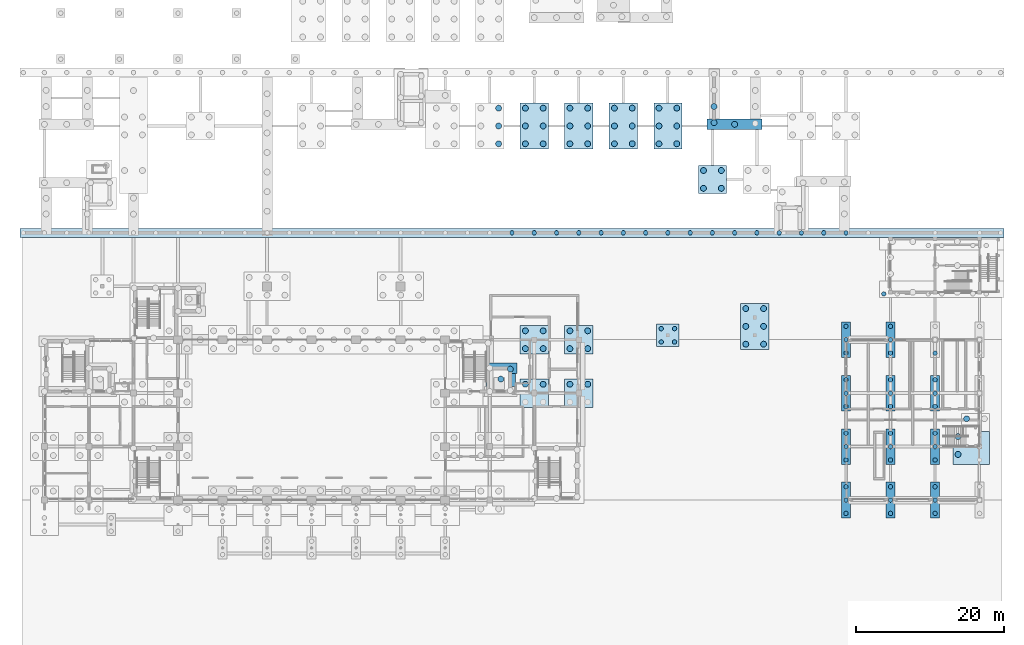
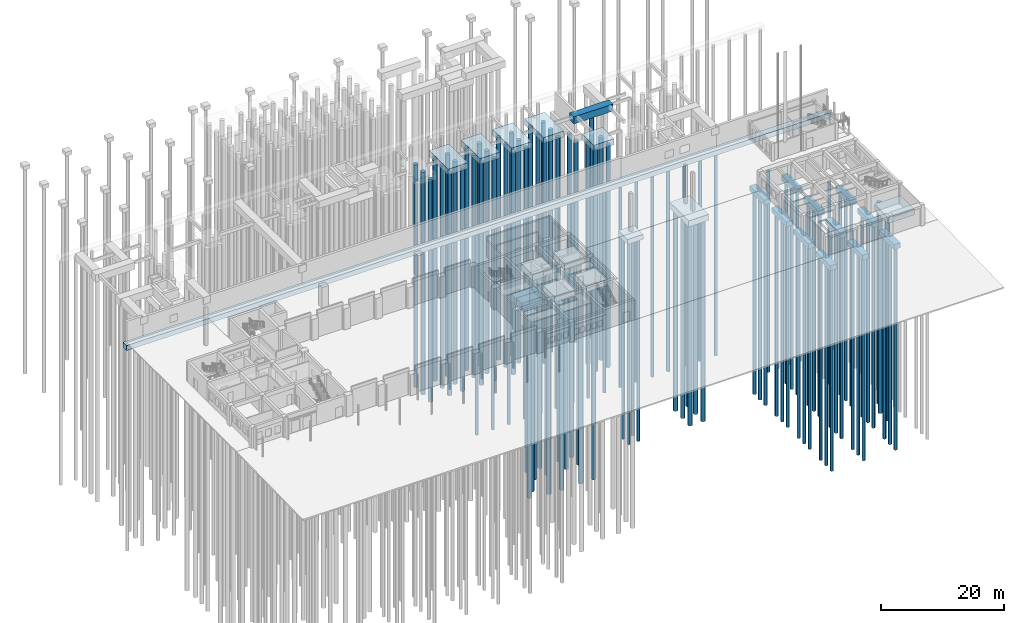
# One storey, part 4 of 37: 112 piles, 27 footings.
"""IFC4 building model written with IfcOpenShell, lengths in metres."""

from ifc_helpers import new_model, si_unit, direction, frame, origin, origin_2d, place, context, subcontext, project, spatial, polyline, circle, outline, extrude, material, layer, layer_set, material_profile, profile_set, type_object, element, save


model = new_model("IFC4")

# Units and contexts
model_context = context("Model", 3, precision=1e-05, world=origin(), true_north=direction((0.0, 1.0)))
body_context = subcontext(model_context, "Body", "Model", "MODEL_VIEW")
ifc_project = project(units=[si_unit("LENGTHUNIT", "METRE"), si_unit("AREAUNIT", "SQUARE_METRE"), si_unit("VOLUMEUNIT", "CUBIC_METRE"), si_unit("PLANEANGLEUNIT", "RADIAN"), si_unit("MASSUNIT", "GRAM", prefix="KILO")], contexts=[model_context])

# Site, building, storey
site_placement = place(None, origin())
site = spatial("IfcSite", under=ifc_project, at=site_placement, CompositionType="ELEMENT")
building_placement = place(site_placement, origin())
building = spatial("IfcBuilding", under=site, at=building_placement, Name="Laocheng Heights Fire and Rescue Headquarters", CompositionType="ELEMENT")
storey_placement = place(building_placement, origin())
storey = spatial("IfcBuildingStorey", under=building, at=storey_placement, Name="L00", CompositionType="ELEMENT", Elevation=0.0)

# Piles
ifc_material_1 = material(Name="Concrete C35", Category="concrete")
ifc_material_profile_1 = material_profile(ifc_material_1, circle(Radius=0.300048828125, at=origin_2d()), Name="BORED PILE D600")
ifc_profile_set_1 = profile_set([ifc_material_profile_1], Name="Concrete C35")
pile_type_1 = type_object("IfcPileType", Name="BORED PILE D600", PredefinedType="BORED", material=ifc_profile_set_1)
for number, where, z_axis, x_axis, name in (
    (1, (108.0, -1.800048828125, -1.25), (0.0, 0.0, -1.0), (1.0, 0.0, 0.0), "Bored pile D600"),
    (2, (108.0, 0.0, -1.25), (0.0, 0.0, -1.0), (1.0, 0.0, 0.0), "Bored pile D600"),
    (3, (108.0, 1.800048828125, -1.25), (0.0, 0.0, -1.0), (1.0, 0.0, 0.0), "Bored pile D600"),
    (4, (114.0, -1.800048828125, -1.25), (0.0, 0.0, -1.0), (1.0, 0.0, 0.0), "Bored pile D600"),
    (5, (114.0, 0.0, -1.25), (0.0, 0.0, -1.0), (1.0, 0.0, 0.0), "Bored pile D600"),
    (6, (114.0, 1.800048828125, -1.25), (0.0, 0.0, -1.0), (1.0, 0.0, 0.0), "Bored pile D600"),
    (7, (120.0, -1.800048828125, -1.25), (0.0, 0.0, -1.0), (1.0, 0.0, 0.0), "Bored pile D600"),
    (8, (120.0, 0.0, -1.25), (0.0, 0.0, -1.0), (1.0, 0.0, 0.0), "Bored pile D600"),
    (9, (120.0, 1.800048828125, -1.25), (0.0, 0.0, -1.0), (1.0, 0.0, 0.0), "Bored pile D600"),
    (10, (108.0, 5.39990234375, -1.25), (0.0, 0.0, -1.0), (1.0, 0.0, 0.0), "Bored pile D600"),
    (11, (108.0, 7.199951171875, -1.25), (0.0, 0.0, -1.0), (1.0, 0.0, 0.0), "Bored pile D600"),
    (12, (108.0, 9.0, -1.25), (0.0, 0.0, -1.0), (1.0, 0.0, 0.0), "Bored pile D600"),
    (13, (114.0, 5.39990234375, -1.25), (0.0, 0.0, -1.0), (1.0, 0.0, 0.0), "Bored pile D600"),
    (14, (114.0, 7.199951171875, -1.25), (0.0, 0.0, -1.0), (1.0, 0.0, 0.0), "Bored pile D600"),
    (15, (114.0, 9.0, -1.25), (0.0, 0.0, -1.0), (1.0, 0.0, 0.0), "Bored pile D600"),
    (16, (120.0, 5.39990234375, -1.25), (0.0, 0.0, -1.0), (1.0, 0.0, 0.0), "Bored pile D600"),
    (17, (120.0, 7.199951171875, -1.25), (0.0, 0.0, -1.0), (1.0, 0.0, 0.0), "Bored pile D600"),
    (18, (120.0, 9.0, -1.25), (0.0, 0.0, -1.0), (1.0, 0.0, 0.0), "Bored pile D600"),
    (19, (108.0, 12.60009765625, -1.25), (0.0, 0.0, -1.0), (1.0, 0.0, 0.0), "Bored pile D600"),
    (20, (108.0, 14.39990234375, -1.25), (0.0, 0.0, -1.0), (1.0, 0.0, 0.0), "Bored pile D600"),
    (21, (108.0, 16.199951171875, -1.25), (0.0, 0.0, -1.0), (1.0, 0.0, 0.0), "Bored pile D600"),
    (22, (114.0, 12.60009765625, -1.25), (0.0, 0.0, -1.0), (1.0, 0.0, 0.0), "Bored pile D600"),
    (23, (114.0, 14.39990234375, -1.25), (0.0, 0.0, -1.0), (1.0, 0.0, 0.0), "Bored pile D600"),
    (24, (114.0, 16.199951171875, -1.25), (0.0, 0.0, -1.0), (1.0, 0.0, 0.0), "Bored pile D600"),
    (25, (120.0, 12.60009765625, -1.25), (0.0, 0.0, -1.0), (1.0, 0.0, 0.0), "Bored pile D600"),
    (26, (120.0, 14.39990234375, -1.25), (0.0, 0.0, -1.0), (1.0, 0.0, 0.0), "Bored pile D600"),
    (27, (120.0, 16.199951171875, -1.25), (0.0, 0.0, -1.0), (1.0, 0.0, 0.0), "Bored pile D600"),
):
    element("IfcPile", number, at=place(storey_placement, frame(where, z_axis=z_axis, x_axis=x_axis)), inside=storey, type_object=pile_type_1, Name=name, PredefinedType="BORED", context=body_context, shape_type="SweptSolid", body=[
        extrude(circle(Radius=0.300048828125, at=origin_2d()), origin(), (0.0, 0.0, 1.0), 40.25),
    ])
for number, where, z_axis, x_axis, name in (
    (28, (108.0, 19.800048828125, -1.300048828125), (0.0, 0.0, -1.0), (1.0, 0.0, 0.0), "Bored pile D600"),
    (29, (108.0, 21.60009765625, -1.300048828125), (0.0, 0.0, -1.0), (1.0, 0.0, 0.0), "Bored pile D600"),
    (30, (108.0, 23.39990234375, -1.300048828125), (0.0, 0.0, -1.0), (1.0, 0.0, 0.0), "Bored pile D600"),
    (31, (114.0, 19.800048828125, -1.300048828125), (0.0, 0.0, -1.0), (1.0, 0.0, 0.0), "Bored pile D600"),
    (32, (114.0, 21.60009765625, -1.300048828125), (0.0, 0.0, -1.0), (1.0, 0.0, 0.0), "Bored pile D600"),
    (33, (114.0, 23.39990234375, -1.300048828125), (0.0, 0.0, -1.0), (1.0, 0.0, 0.0), "Bored pile D600"),
    (34, (120.0, 19.800048828125, -1.300048828125), (0.0, 0.0, -1.0), (1.0, 0.0, 0.0), "Bored pile D600"),
    (35, (83.10009765625, 21.300048828125, -1.300048828125), (0.0, 0.0, -1.0), (1.0, 0.0, 0.0), "Bored pile D600"),
    (36, (84.89990234375, 21.300048828125, -1.300048828125), (0.0, 0.0, -1.0), (1.0, 0.0, 0.0), "Bored pile D600"),
    (37, (83.10009765625, 23.10009765625, -1.300048828125), (0.0, 0.0, -1.0), (1.0, 0.0, 0.0), "Bored pile D600"),
    (38, (84.89990234375, 23.10009765625, -1.300048828125), (0.0, 0.0, -1.0), (1.0, 0.0, 0.0), "Bored pile D600"),
):
    element("IfcPile", number, at=place(storey_placement, frame(where, z_axis=z_axis, x_axis=x_axis)), inside=storey, type_object=pile_type_1, Name=name, PredefinedType="BORED", context=body_context, shape_type="SweptSolid", body=[
        extrude(circle(Radius=0.300048828125, at=origin_2d()), origin(), (0.0, 0.0, 1.0), 40.199951171875),
    ])
pile_1_placement = place(storey_placement, frame((113.10009765625, 27.77001953125, -1.5), z_axis=(0.0, 0.0, -1.0), x_axis=(1.0, 0.0, 0.0)))
element("IfcPile", 39, at=pile_1_placement, inside=storey, type_object=pile_type_1, Name="Bored pile D600", PredefinedType="BORED", context=body_context, shape_type="SweptSolid", body=[
    extrude(circle(Radius=0.300048828125, at=origin_2d()), origin(), (0.0, 0.0, 1.0), 40.0),
])
for number, where, z_axis, x_axis, name in (
    (40, (63.0, 36.0, -1.300048828125), (0.0, 0.0, -1.0), (1.0, 0.0, 0.0), "Bored pile D600"),
    (41, (66.0, 36.0, -1.300048828125), (0.0, 0.0, -1.0), (1.0, 0.0, 0.0), "Bored pile D600"),
    (42, (69.0, 36.0, -1.300048828125), (0.0, 0.0, -1.0), (1.0, 0.0, 0.0), "Bored pile D600"),
    (43, (72.0, 36.0, -1.300048828125), (0.0, 0.0, -1.0), (1.0, 0.0, 0.0), "Bored pile D600"),
    (44, (75.0, 36.0, -1.300048828125), (0.0, 0.0, -1.0), (1.0, 0.0, 0.0), "Bored pile D600"),
    (45, (78.0, 36.0, -1.300048828125), (0.0, 0.0, -1.0), (1.0, 0.0, 0.0), "Bored pile D600"),
    (46, (81.0, 36.0, -1.300048828125), (0.0, 0.0, -1.0), (1.0, 0.0, 0.0), "Bored pile D600"),
    (47, (84.0, 36.0, -1.300048828125), (0.0, 0.0, -1.0), (1.0, 0.0, 0.0), "Bored pile D600"),
    (48, (87.0, 36.0, -1.300048828125), (0.0, 0.0, -1.0), (1.0, 0.0, 0.0), "Bored pile D600"),
    (49, (90.0, 36.0, -1.300048828125), (0.0, 0.0, -1.0), (1.0, 0.0, 0.0), "Bored pile D600"),
    (50, (93.0, 36.0, -1.300048828125), (0.0, 0.0, -1.0), (1.0, 0.0, 0.0), "Bored pile D600"),
    (51, (96.0, 36.0, -1.300048828125), (0.0, 0.0, -1.0), (1.0, 0.0, 0.0), "Bored pile D600"),
    (52, (99.0, 36.0, -1.300048828125), (0.0, 0.0, -1.0), (1.0, 0.0, 0.0), "Bored pile D600"),
    (53, (102.0, 36.0, -1.300048828125), (0.0, 0.0, -1.0), (1.0, 0.0, 0.0), "Bored pile D600"),
    (54, (105.0, 36.0, -1.300048828125), (0.0, 0.0, -1.0), (1.0, 0.0, 0.0), "Bored pile D600"),
    (55, (108.0, 36.0, -1.300048828125), (0.0, 0.0, -1.0), (1.0, 0.0, 0.0), "Bored pile D600"),
):
    element("IfcPile", number, at=place(storey_placement, frame(where, z_axis=z_axis, x_axis=x_axis)), inside=storey, type_object=pile_type_1, Name=name, PredefinedType="BORED", context=body_context, shape_type="SweptSolid", body=[
        extrude(circle(Radius=0.300048828125, at=origin_2d()), origin(), (0.0, 0.0, 1.0), 40.199951171875),
    ])
ifc_material_2 = material(Name="Concrete C35", Category="concrete")
ifc_material_profile_2 = material_profile(ifc_material_2, circle(Radius=0.39990234375, at=origin_2d()), Name="BORED PILE D800")
ifc_profile_set_2 = profile_set([ifc_material_profile_2], Name="Concrete C35")
pile_type_2 = type_object("IfcPileType", Name="BORED PILE D800", PredefinedType="BORED", material=ifc_profile_set_2)
for number, where, z_axis, x_axis, name in (
    (56, (123.10009765625, 6.14990234375, -1.449951171875), (0.0, 0.0, -1.0), (1.0, 0.0, 0.0), "Bored pile D800"),
    (57, (123.10009765625, 8.550048828125, -1.449951171875), (0.0, 0.0, -1.0), (1.0, 0.0, 0.0), "Bored pile D800"),
    (58, (124.25, 10.949951171875, -1.449951171875), (0.0, 0.0, -1.0), (1.0, 0.0, 0.0), "Bored pile D800"),
    (59, (64.800048828125, 15.60009765625, -1.449951171875), (0.0, 0.0, -1.0), (1.0, 0.0, 0.0), "Bored pile D800"),
    (60, (67.199951171875, 15.60009765625, -1.449951171875), (0.0, 0.0, -1.0), (1.0, 0.0, 0.0), "Bored pile D800"),
    (61, (70.800048828125, 15.60009765625, -1.449951171875), (0.0, 0.0, -1.0), (1.0, 0.0, 0.0), "Bored pile D800"),
    (62, (73.199951171875, 15.60009765625, -1.449951171875), (0.0, 0.0, -1.0), (1.0, 0.0, 0.0), "Bored pile D800"),
):
    element("IfcPile", number, at=place(storey_placement, frame(where, z_axis=z_axis, x_axis=x_axis)), inside=storey, type_object=pile_type_2, Name=name, PredefinedType="BORED", context=body_context, shape_type="SweptSolid", body=[
        extrude(circle(Radius=0.39990234375, at=origin_2d()), origin(), (0.0, 0.0, 1.0), 40.050048828125),
    ])
for number, where, z_axis, x_axis, name in (
    (63, (61.4951171875, 16.294921875, -3.10009765625), (0.0, 0.0, -1.0), (1.0, 0.0, 0.0), "Bored pile D800"),
    (64, (62.77490234375, 17.64501953125, -3.10009765625), (0.0, 0.0, -1.0), (1.0, 0.0, 0.0), "Bored pile D800"),
):
    element("IfcPile", number, at=place(storey_placement, frame(where, z_axis=z_axis, x_axis=x_axis)), inside=storey, type_object=pile_type_2, Name=name, PredefinedType="BORED", context=body_context, shape_type="SweptSolid", body=[
        extrude(circle(Radius=0.39990234375, at=origin_2d()), origin(), (0.0, 0.0, 1.0), 38.39990234375),
    ])
for number, where, z_axis, x_axis, name in (
    (65, (64.800048828125, 20.39990234375, -1.449951171875), (0.0, 0.0, -1.0), (1.0, 0.0, 0.0), "Bored pile D800"),
    (66, (67.199951171875, 20.39990234375, -1.449951171875), (0.0, 0.0, -1.0), (1.0, 0.0, 0.0), "Bored pile D800"),
    (67, (64.800048828125, 22.800048828125, -1.449951171875), (0.0, 0.0, -1.0), (1.0, 0.0, 0.0), "Bored pile D800"),
    (68, (67.199951171875, 22.800048828125, -1.449951171875), (0.0, 0.0, -1.0), (1.0, 0.0, 0.0), "Bored pile D800"),
    (69, (70.800048828125, 20.39990234375, -1.449951171875), (0.0, 0.0, -1.0), (1.0, 0.0, 0.0), "Bored pile D800"),
    (70, (73.199951171875, 20.39990234375, -1.449951171875), (0.0, 0.0, -1.0), (1.0, 0.0, 0.0), "Bored pile D800"),
    (71, (70.800048828125, 22.800048828125, -1.449951171875), (0.0, 0.0, -1.0), (1.0, 0.0, 0.0), "Bored pile D800"),
    (72, (73.199951171875, 22.800048828125, -1.449951171875), (0.0, 0.0, -1.0), (1.0, 0.0, 0.0), "Bored pile D800"),
):
    element("IfcPile", number, at=place(storey_placement, frame(where, z_axis=z_axis, x_axis=x_axis)), inside=storey, type_object=pile_type_2, Name=name, PredefinedType="BORED", context=body_context, shape_type="SweptSolid", body=[
        extrude(circle(Radius=0.39990234375, at=origin_2d()), origin(), (0.0, 0.0, 1.0), 40.050048828125),
    ])
for number, where, z_axis, x_axis, name in (
    (73, (94.5, 21.0, -1.5), (0.0, 0.0, -1.0), (1.0, 0.0, 0.0), "Bored pile D800"),
    (74, (96.89990234375, 21.0, -1.5), (0.0, 0.0, -1.0), (1.0, 0.0, 0.0), "Bored pile D800"),
    (75, (94.5, 23.39990234375, -1.5), (0.0, 0.0, -1.0), (1.0, 0.0, 0.0), "Bored pile D800"),
    (76, (96.89990234375, 23.39990234375, -1.5), (0.0, 0.0, -1.0), (1.0, 0.0, 0.0), "Bored pile D800"),
    (77, (94.5, 25.800048828125, -1.5), (0.0, 0.0, -1.0), (1.0, 0.0, 0.0), "Bored pile D800"),
    (78, (96.89990234375, 25.800048828125, -1.5), (0.0, 0.0, -1.0), (1.0, 0.0, 0.0), "Bored pile D800"),
):
    element("IfcPile", number, at=place(storey_placement, frame(where, z_axis=z_axis, x_axis=x_axis)), inside=storey, type_object=pile_type_2, Name=name, PredefinedType="BORED", context=body_context, shape_type="SweptSolid", body=[
        extrude(circle(Radius=0.39990234375, at=origin_2d()), origin(), (0.0, 0.0, 1.0), 40.0),
    ])
for number, where, z_axis, x_axis, name in (
    (79, (88.800048828125, 42.0, 2.800048828125), (0.0, 0.0, -1.0), (1.0, 0.0, 0.0), "Bored pile D800"),
    (80, (91.199951171875, 42.0, 2.800048828125), (0.0, 0.0, -1.0), (1.0, 0.0, 0.0), "Bored pile D800"),
    (81, (88.800048828125, 44.39990234375, 2.800048828125), (0.0, 0.0, -1.0), (1.0, 0.0, 0.0), "Bored pile D800"),
    (82, (91.199951171875, 44.39990234375, 2.800048828125), (0.0, 0.0, -1.0), (1.0, 0.0, 0.0), "Bored pile D800"),
    (83, (61.199951171875, 48.0, 2.800048828125), (0.0, 0.0, -1.0), (1.0, 0.0, 0.0), "Bored pile D800"),
    (84, (61.199951171875, 50.39990234375, 2.800048828125), (0.0, 0.0, -1.0), (1.0, 0.0, 0.0), "Bored pile D800"),
    (85, (61.199951171875, 52.800048828125, 2.800048828125), (0.0, 0.0, -1.0), (1.0, 0.0, 0.0), "Bored pile D800"),
    (86, (64.800048828125, 48.0, 2.800048828125), (0.0, 0.0, -1.0), (1.0, 0.0, 0.0), "Bored pile D800"),
    (87, (67.199951171875, 48.0, 2.800048828125), (0.0, 0.0, -1.0), (1.0, 0.0, 0.0), "Bored pile D800"),
    (88, (64.800048828125, 50.39990234375, 2.800048828125), (0.0, 0.0, -1.0), (1.0, 0.0, 0.0), "Bored pile D800"),
    (89, (67.199951171875, 50.39990234375, 2.800048828125), (0.0, 0.0, -1.0), (1.0, 0.0, 0.0), "Bored pile D800"),
    (90, (64.800048828125, 52.800048828125, 2.800048828125), (0.0, 0.0, -1.0), (1.0, 0.0, 0.0), "Bored pile D800"),
    (91, (67.199951171875, 52.800048828125, 2.800048828125), (0.0, 0.0, -1.0), (1.0, 0.0, 0.0), "Bored pile D800"),
    (92, (70.800048828125, 48.0, 2.800048828125), (0.0, 0.0, -1.0), (1.0, 0.0, 0.0), "Bored pile D800"),
    (93, (73.199951171875, 48.0, 2.800048828125), (0.0, 0.0, -1.0), (1.0, 0.0, 0.0), "Bored pile D800"),
    (94, (70.800048828125, 50.39990234375, 2.800048828125), (0.0, 0.0, -1.0), (1.0, 0.0, 0.0), "Bored pile D800"),
    (95, (73.199951171875, 50.39990234375, 2.800048828125), (0.0, 0.0, -1.0), (1.0, 0.0, 0.0), "Bored pile D800"),
    (96, (70.800048828125, 52.800048828125, 2.800048828125), (0.0, 0.0, -1.0), (1.0, 0.0, 0.0), "Bored pile D800"),
    (97, (73.199951171875, 52.800048828125, 2.800048828125), (0.0, 0.0, -1.0), (1.0, 0.0, 0.0), "Bored pile D800"),
    (98, (76.800048828125, 48.0, 2.800048828125), (0.0, 0.0, -1.0), (1.0, 0.0, 0.0), "Bored pile D800"),
    (99, (79.199951171875, 48.0, 2.800048828125), (0.0, 0.0, -1.0), (1.0, 0.0, 0.0), "Bored pile D800"),
    (100, (76.800048828125, 50.39990234375, 2.800048828125), (0.0, 0.0, -1.0), (1.0, 0.0, 0.0), "Bored pile D800"),
    (101, (79.199951171875, 50.39990234375, 2.800048828125), (0.0, 0.0, -1.0), (1.0, 0.0, 0.0), "Bored pile D800"),
    (102, (76.800048828125, 52.800048828125, 2.800048828125), (0.0, 0.0, -1.0), (1.0, 0.0, 0.0), "Bored pile D800"),
    (103, (79.199951171875, 52.800048828125, 2.800048828125), (0.0, 0.0, -1.0), (1.0, 0.0, 0.0), "Bored pile D800"),
    (104, (82.800048828125, 48.0, 2.800048828125), (0.0, 0.0, -1.0), (1.0, 0.0, 0.0), "Bored pile D800"),
    (105, (85.199951171875, 48.0, 2.800048828125), (0.0, 0.0, -1.0), (1.0, 0.0, 0.0), "Bored pile D800"),
    (106, (82.800048828125, 50.39990234375, 2.800048828125), (0.0, 0.0, -1.0), (1.0, 0.0, 0.0), "Bored pile D800"),
    (107, (85.199951171875, 50.39990234375, 2.800048828125), (0.0, 0.0, -1.0), (1.0, 0.0, 0.0), "Bored pile D800"),
    (108, (82.800048828125, 52.800048828125, 2.800048828125), (0.0, 0.0, -1.0), (1.0, 0.0, 0.0), "Bored pile D800"),
    (109, (85.199951171875, 52.800048828125, 2.800048828125), (0.0, 0.0, -1.0), (1.0, 0.0, 0.0), "Bored pile D800"),
):
    element("IfcPile", number, at=place(storey_placement, frame(where, z_axis=z_axis, x_axis=x_axis)), inside=storey, type_object=pile_type_2, Name=name, PredefinedType="BORED", context=body_context, shape_type="SweptSolid", body=[
        extrude(circle(Radius=0.39990234375, at=origin_2d()), origin(), (0.0, 0.0, 1.0), 44.300048828125),
    ])
pile_2_placement = place(storey_placement, frame((93.0, 50.625, 2.60009765625), z_axis=(0.0, 0.0, -1.0), x_axis=(1.0, 0.0, 0.0)))
element("IfcPile", 110, at=pile_2_placement, inside=storey, type_object=pile_type_2, Name="Bored pile D800", PredefinedType="BORED", context=body_context, shape_type="SweptSolid", body=[
    extrude(circle(Radius=0.39990234375, at=origin_2d()), origin(), (0.0, 0.0, 1.0), 44.10009765625),
])
for number, where, z_axis, x_axis, name in (
    (111, (90.22509765625, 50.85009765625, -1.39990234375), (0.0, 0.0, -1.0), (1.0, 0.0, 0.0), "Bored pile D800"),
    (112, (90.22509765625, 53.02490234375, -1.39990234375), (0.0, 0.0, -1.0), (1.0, 0.0, 0.0), "Bored pile D800"),
):
    element("IfcPile", number, at=place(storey_placement, frame(where, z_axis=z_axis, x_axis=x_axis)), inside=storey, type_object=pile_type_2, Name=name, PredefinedType="BORED", context=body_context, shape_type="SweptSolid", body=[
        extrude(circle(Radius=0.39990234375, at=origin_2d()), origin(), (0.0, 0.0, 1.0), 40.10009765625),
    ])

# Footings
ifc_material_3 = material(Name="Concrete C40", Category="concrete")
ifc_layer_1 = layer(ifc_material_3, 1.0)
ifc_layer_set_1 = layer_set([ifc_layer_1], Name="Concrete C40")
footing_type_1 = type_object("IfcFootingType", Name="RC PILE CAP 1200x4800x1000 ON 3 D600 PILES", PredefinedType="PILE_CAP", material=ifc_layer_set_1)
footing_1_placement = place(storey_placement, frame((0.0, 0.0, -1.25)))
element("IfcFooting", 113, at=footing_1_placement, inside=storey, type_object=footing_type_1, Name="Pile cap", PredefinedType="PILE_CAP", context=body_context, shape_type="SweptSolid", body=[
    extrude(outline(polyline([(108.60009765625, -2.39990234375), (108.60009765625, 2.39990234375), (107.39990234375, 2.39990234375), (107.39990234375, -2.39990234375), (108.60009765625, -2.39990234375)])), origin(), (0.0, 0.0, 1.0), 1.0),
])
footing_2_placement = place(storey_placement, frame((0.0, 0.0, -1.25)))
element("IfcFooting", 114, at=footing_2_placement, inside=storey, type_object=footing_type_1, Name="Pile cap", PredefinedType="PILE_CAP", context=body_context, shape_type="SweptSolid", body=[
    extrude(outline(polyline([(114.60009765625, -2.39990234375), (114.60009765625, 2.39990234375), (113.39990234375, 2.39990234375), (113.39990234375, -2.39990234375), (114.60009765625, -2.39990234375)])), origin(), (0.0, 0.0, 1.0), 1.0),
])
footing_3_placement = place(storey_placement, frame((0.0, 0.0, -1.25)))
element("IfcFooting", 115, at=footing_3_placement, inside=storey, type_object=footing_type_1, Name="Pile cap", PredefinedType="PILE_CAP", context=body_context, shape_type="SweptSolid", body=[
    extrude(outline(polyline([(120.60009765625, -2.39990234375), (120.60009765625, 2.39990234375), (119.39990234375, 2.39990234375), (119.39990234375, -2.39990234375), (120.60009765625, -2.39990234375)])), origin(), (0.0, 0.0, 1.0), 1.0),
])
footing_4_placement = place(storey_placement, frame((0.0, 0.0, -1.25)))
element("IfcFooting", 116, at=footing_4_placement, inside=storey, type_object=footing_type_1, Name="Pile cap", PredefinedType="PILE_CAP", context=body_context, shape_type="SweptSolid", body=[
    extrude(outline(polyline([(108.60009765625, 4.800048828125), (108.60009765625, 9.60009765625), (107.39990234375, 9.60009765625), (107.39990234375, 4.800048828125), (108.60009765625, 4.800048828125)])), origin(), (0.0, 0.0, 1.0), 1.0),
])
footing_5_placement = place(storey_placement, frame((0.0, 0.0, -1.25)))
element("IfcFooting", 117, at=footing_5_placement, inside=storey, type_object=footing_type_1, Name="Pile cap", PredefinedType="PILE_CAP", context=body_context, shape_type="SweptSolid", body=[
    extrude(outline(polyline([(114.60009765625, 4.800048828125), (114.60009765625, 9.60009765625), (113.39990234375, 9.60009765625), (113.39990234375, 4.800048828125), (114.60009765625, 4.800048828125)])), origin(), (0.0, 0.0, 1.0), 1.0),
])
footing_6_placement = place(storey_placement, frame((0.0, 0.0, -1.25)))
element("IfcFooting", 118, at=footing_6_placement, inside=storey, type_object=footing_type_1, Name="Pile cap", PredefinedType="PILE_CAP", context=body_context, shape_type="SweptSolid", body=[
    extrude(outline(polyline([(120.60009765625, 4.800048828125), (120.60009765625, 9.60009765625), (119.39990234375, 9.60009765625), (119.39990234375, 4.800048828125), (120.60009765625, 4.800048828125)])), origin(), (0.0, 0.0, 1.0), 1.0),
])
footing_7_placement = place(storey_placement, frame((0.0, 0.0, -1.25)))
element("IfcFooting", 119, at=footing_7_placement, inside=storey, type_object=footing_type_1, Name="Pile cap", PredefinedType="PILE_CAP", context=body_context, shape_type="SweptSolid", body=[
    extrude(outline(polyline([(108.60009765625, 12.0), (108.60009765625, 16.800048828125), (107.39990234375, 16.800048828125), (107.39990234375, 12.0), (108.60009765625, 12.0)])), origin(), (0.0, 0.0, 1.0), 1.0),
])
footing_8_placement = place(storey_placement, frame((0.0, 0.0, -1.25)))
element("IfcFooting", 120, at=footing_8_placement, inside=storey, type_object=footing_type_1, Name="Pile cap", PredefinedType="PILE_CAP", context=body_context, shape_type="SweptSolid", body=[
    extrude(outline(polyline([(114.60009765625, 12.0), (114.60009765625, 16.800048828125), (113.39990234375, 16.800048828125), (113.39990234375, 12.0), (114.60009765625, 12.0)])), origin(), (0.0, 0.0, 1.0), 1.0),
])
footing_9_placement = place(storey_placement, frame((0.0, 0.0, -1.25)))
element("IfcFooting", 121, at=footing_9_placement, inside=storey, type_object=footing_type_1, Name="Pile cap", PredefinedType="PILE_CAP", context=body_context, shape_type="SweptSolid", body=[
    extrude(outline(polyline([(120.60009765625, 12.0), (120.60009765625, 16.800048828125), (119.39990234375, 16.800048828125), (119.39990234375, 12.0), (120.60009765625, 12.0)])), origin(), (0.0, 0.0, 1.0), 1.0),
])
footing_10_placement = place(storey_placement, frame((0.0, 0.0, -1.300048828125)))
element("IfcFooting", 122, at=footing_10_placement, inside=storey, type_object=footing_type_1, Name="Pile cap", PredefinedType="PILE_CAP", context=body_context, shape_type="SweptSolid", body=[
    extrude(outline(polyline([(108.60009765625, 19.199951171875), (108.60009765625, 24.0), (107.39990234375, 24.0), (107.39990234375, 19.199951171875), (108.60009765625, 19.199951171875)])), origin(), (0.0, 0.0, 1.0), 1.0),
])
footing_11_placement = place(storey_placement, frame((0.0, 0.0, -1.300048828125)))
element("IfcFooting", 123, at=footing_11_placement, inside=storey, type_object=footing_type_1, Name="Pile cap", PredefinedType="PILE_CAP", context=body_context, shape_type="SweptSolid", body=[
    extrude(outline(polyline([(114.60009765625, 19.199951171875), (114.60009765625, 24.0), (113.39990234375, 24.0), (113.39990234375, 19.199951171875), (114.60009765625, 19.199951171875)])), origin(), (0.0, 0.0, 1.0), 1.0),
])
ifc_material_4 = material(Name="Concrete C40", Category="concrete")
ifc_layer_2 = layer(ifc_material_4, 1.0)
ifc_layer_set_2 = layer_set([ifc_layer_2], Name="Concrete C40")
footing_type_2 = type_object("IfcFootingType", Name="RC PILE CAP 3000x3000x1000 ON 4 D600 PILES", PredefinedType="PILE_CAP", material=ifc_layer_set_2)
footing_12_placement = place(storey_placement, frame((0.0, 0.0, -1.300048828125)))
element("IfcFooting", 124, at=footing_12_placement, inside=storey, type_object=footing_type_2, Name="Pile cap", PredefinedType="PILE_CAP", context=body_context, shape_type="SweptSolid", body=[
    extrude(outline(polyline([(85.5, 20.699951171875), (85.5, 23.699951171875), (82.5, 23.699951171875), (82.5, 20.699951171875), (85.5, 20.699951171875)])), origin(), (0.0, 0.0, 1.0), 1.0),
])
ifc_material_5 = material(Name="Concrete C40", Category="concrete")
ifc_layer_3 = layer(ifc_material_5, 1.199951171875)
ifc_layer_set_3 = layer_set([ifc_layer_3], Name="Concrete C40")
footing_type_3 = type_object("IfcFootingType", Name="RC PILE CAP 3800x3800x1200 ON 4 D800 PILES", PredefinedType="PILE_CAP", material=ifc_layer_set_3)
footing_13_placement = place(storey_placement, frame((0.0, 0.0, -1.449951171875)))
element("IfcFooting", 125, at=footing_13_placement, inside=storey, type_object=footing_type_3, Name="Pile cap", PredefinedType="PILE_CAP", context=body_context, shape_type="SweptSolid", body=[
    extrude(outline(polyline([(67.89990234375, 12.5), (67.89990234375, 16.300048828125), (64.10009765625, 16.300048828125), (64.10009765625, 12.5), (67.89990234375, 12.5)])), origin(), (0.0, 0.0, 1.0), 1.199951171875),
])
footing_14_placement = place(storey_placement, frame((0.0, 0.0, -1.449951171875)))
element("IfcFooting", 126, at=footing_14_placement, inside=storey, type_object=footing_type_3, Name="Pile cap", PredefinedType="PILE_CAP", context=body_context, shape_type="SweptSolid", body=[
    extrude(outline(polyline([(73.89990234375, 12.5), (73.89990234375, 16.300048828125), (70.10009765625, 16.300048828125), (70.10009765625, 12.5), (73.89990234375, 12.5)])), origin(), (0.0, 0.0, 1.0), 1.199951171875),
])
footing_15_placement = place(storey_placement, frame((0.0, 0.0, -1.449951171875)))
element("IfcFooting", 127, at=footing_15_placement, inside=storey, type_object=footing_type_3, Name="Pile cap", PredefinedType="PILE_CAP", context=body_context, shape_type="SweptSolid", body=[
    extrude(outline(polyline([(67.89990234375, 19.699951171875), (67.89990234375, 23.5), (64.10009765625, 23.5), (64.10009765625, 19.699951171875), (67.89990234375, 19.699951171875)])), origin(), (0.0, 0.0, 1.0), 1.199951171875),
])
footing_16_placement = place(storey_placement, frame((0.0, 0.0, -1.449951171875)))
element("IfcFooting", 128, at=footing_16_placement, inside=storey, type_object=footing_type_3, Name="Pile cap", PredefinedType="PILE_CAP", context=body_context, shape_type="SweptSolid", body=[
    extrude(outline(polyline([(73.89990234375, 19.699951171875), (73.89990234375, 23.5), (70.10009765625, 23.5), (70.10009765625, 19.699951171875), (73.89990234375, 19.699951171875)])), origin(), (0.0, 0.0, 1.0), 1.199951171875),
])
footing_17_placement = place(storey_placement, frame((0.0, 0.0, 2.800048828125)))
element("IfcFooting", 129, at=footing_17_placement, inside=storey, type_object=footing_type_3, Name="Pile cap", PredefinedType="PILE_CAP", context=body_context, shape_type="SweptSolid", body=[
    extrude(outline(polyline([(91.89990234375, 41.300048828125), (91.89990234375, 45.10009765625), (88.10009765625, 45.10009765625), (88.10009765625, 41.300048828125), (91.89990234375, 41.300048828125)])), origin(), (0.0, 0.0, 1.0), 1.199951171875),
])
ifc_material_6 = material(Name="Concrete C40", Category="concrete")
ifc_layer_4 = layer(ifc_material_6, 1.199951171875)
ifc_layer_set_4 = layer_set([ifc_layer_4], Name="Concrete C40")
footing_type_4 = type_object("IfcFootingType", Name="RC PILE CAP 3800x6200x1200 ON 6 D800 PILES", PredefinedType="PILE_CAP", material=ifc_layer_set_4)
footing_18_placement = place(storey_placement, frame((0.0, 0.0, -1.5)))
element("IfcFooting", 130, at=footing_18_placement, inside=storey, type_object=footing_type_4, Name="Pile cap", PredefinedType="PILE_CAP", context=body_context, shape_type="SweptSolid", body=[
    extrude(outline(polyline([(93.800048828125, 20.300048828125), (97.60009765625, 20.300048828125), (97.60009765625, 26.5), (93.800048828125, 26.5), (93.800048828125, 20.300048828125)])), origin(), (0.0, 0.0, 1.0), 1.199951171875),
])
footing_19_placement = place(storey_placement, frame((0.0, 0.0, 2.800048828125)))
element("IfcFooting", 131, at=footing_19_placement, inside=storey, type_object=footing_type_4, Name="Pile cap", PredefinedType="PILE_CAP", context=body_context, shape_type="SweptSolid", body=[
    extrude(outline(polyline([(67.89990234375, 47.300048828125), (67.89990234375, 53.5), (64.10009765625, 53.5), (64.10009765625, 47.300048828125), (67.89990234375, 47.300048828125)])), origin(), (0.0, 0.0, 1.0), 1.199951171875),
])
footing_20_placement = place(storey_placement, frame((0.0, 0.0, 2.800048828125)))
element("IfcFooting", 132, at=footing_20_placement, inside=storey, type_object=footing_type_4, Name="Pile cap", PredefinedType="PILE_CAP", context=body_context, shape_type="SweptSolid", body=[
    extrude(outline(polyline([(73.89990234375, 47.300048828125), (73.89990234375, 53.5), (70.10009765625, 53.5), (70.10009765625, 47.300048828125), (73.89990234375, 47.300048828125)])), origin(), (0.0, 0.0, 1.0), 1.199951171875),
])
footing_21_placement = place(storey_placement, frame((0.0, 0.0, 2.800048828125)))
element("IfcFooting", 133, at=footing_21_placement, inside=storey, type_object=footing_type_4, Name="Pile cap", PredefinedType="PILE_CAP", context=body_context, shape_type="SweptSolid", body=[
    extrude(outline(polyline([(79.89990234375, 47.300048828125), (79.89990234375, 53.5), (76.10009765625, 53.5), (76.10009765625, 47.300048828125), (79.89990234375, 47.300048828125)])), origin(), (0.0, 0.0, 1.0), 1.199951171875),
])
footing_22_placement = place(storey_placement, frame((0.0, 0.0, 2.800048828125)))
element("IfcFooting", 134, at=footing_22_placement, inside=storey, type_object=footing_type_4, Name="Pile cap", PredefinedType="PILE_CAP", context=body_context, shape_type="SweptSolid", body=[
    extrude(outline(polyline([(85.89990234375, 47.300048828125), (85.89990234375, 53.5), (82.10009765625, 53.5), (82.10009765625, 47.300048828125), (85.89990234375, 47.300048828125)])), origin(), (0.0, 0.0, 1.0), 1.199951171875),
])
ifc_material_7 = material(Name="Concrete C40", Category="concrete")
ifc_layer_5 = layer(ifc_material_7, 1.39990234375)
ifc_layer_set_5 = layer_set([ifc_layer_5], Name="Concrete C40")
footing_type_5 = type_object("IfcFootingType", Name="RC PILE CAP 3950x1750x1400 ON 1 D800 PILES", PredefinedType="PILE_CAP", material=ifc_layer_set_5)
footing_23_placement = place(storey_placement, frame((0.0, 0.0, -3.10009765625)))
element("IfcFooting", 135, at=footing_23_placement, inside=storey, type_object=footing_type_5, Name="Pile cap", PredefinedType="PILE_CAP", context=body_context, shape_type="SweptSolid", body=[
    extrude(outline(polyline([(63.47509765625, 15.324951171875), (63.47509765625, 17.074951171875), (59.52490234375, 17.074951171875), (59.52490234375, 15.324951171875), (63.47509765625, 15.324951171875)])), origin(), (0.0, 0.0, 1.0), 1.400146484375),
])
ifc_material_8 = material(Name="Concrete C40", Category="concrete")
ifc_layer_6 = layer(ifc_material_8, 1.39990234375)
ifc_layer_set_6 = layer_set([ifc_layer_6], Name="Concrete C40")
footing_type_6 = type_object("IfcFootingType", Name="RC PILE CAP 4400x1400x1400 ON 2 D800 PILES", PredefinedType="PILE_CAP", material=ifc_layer_set_6)
footing_24_placement = place(storey_placement, frame((0.0, 0.0, -3.10009765625)))
element("IfcFooting", 136, at=footing_24_placement, inside=storey, type_object=footing_type_6, Name="Pile cap", PredefinedType="PILE_CAP", context=body_context, shape_type="SweptSolid", body=[
    extrude(outline(polyline([(63.699951171875, 17.074951171875), (63.699951171875, 18.47509765625), (59.300048828125, 18.47509765625), (59.300048828125, 17.074951171875), (63.699951171875, 17.074951171875)])), origin(), (0.0, 0.0, 1.0), 1.400146484375),
])
ifc_material_9 = material(Name="Concrete C40", Category="concrete")
ifc_layer_7 = layer(ifc_material_9, 1.199951171875)
ifc_layer_set_7 = layer_set([ifc_layer_7], Name="Concrete C40")
footing_type_7 = type_object("IfcFootingType", Name="RC PILE CAP 4950x4450x1200 ON 5 D600/800 PILES", PredefinedType="PILE_CAP", material=ifc_layer_set_7)
footing_25_placement = place(storey_placement, frame((0.0, 0.0, -1.449951171875)))
element("IfcFooting", 137, at=footing_25_placement, inside=storey, type_object=footing_type_7, Name="Pile cap", PredefinedType="PILE_CAP", context=body_context, shape_type="SweptSolid", body=[
    extrude(outline(polyline([(127.35009765625, 4.800048828125), (127.35009765625, 9.25), (122.39990234375, 9.25), (122.39990234375, 4.800048828125), (127.35009765625, 4.800048828125)])), origin(), (0.0, 0.0, 1.0), 1.199951171875),
])
ifc_material_10 = material(Name="Concrete C40", Category="concrete")
ifc_layer_8 = layer(ifc_material_10, 1.39990234375)
ifc_layer_set_8 = layer_set([ifc_layer_8], Name="Concrete C40")
footing_type_8 = type_object("IfcFootingType", Name="RC PILE CAP 7400x1400x1400 ON 2 D800 PILES", PredefinedType="PILE_CAP", material=ifc_layer_set_8)
footing_26_placement = place(storey_placement, frame((0.0, 0.0, 2.60009765625)))
element("IfcFooting", 138, at=footing_26_placement, inside=storey, type_object=footing_type_8, Name="Pile cap", PredefinedType="PILE_CAP", context=body_context, shape_type="SweptSolid", body=[
    extrude(outline(polyline([(96.699951171875, 49.925048828125), (96.699951171875, 51.324951171875), (89.300048828125, 51.324951171875), (89.300048828125, 49.925048828125), (96.699951171875, 49.925048828125)])), origin(), (0.0, 0.0, 1.0), 1.39990234375),
])
ifc_material_11 = material(Name="Concrete C40", Category="concrete")
ifc_layer_9 = layer(ifc_material_11, 1.0)
ifc_layer_set_9 = layer_set([ifc_layer_9], Name="Concrete C40")
footing_type_9 = type_object("IfcFootingType", Name="RC STRIP FOOTING 1200 x 1000 RETAINING WALL", PredefinedType="STRIP_FOOTING", material=ifc_layer_set_9)
footing_27_placement = place(storey_placement, frame((0.0, 0.0, -1.300048828125)))
element("IfcFooting", 139, at=footing_27_placement, inside=storey, type_object=footing_type_9, Name="Retaining wall strip footing", PredefinedType="STRIP_FOOTING", context=body_context, shape_type="SweptSolid", body=[
    extrude(outline(polyline([(129.2900390625, 35.39990234375), (129.2900390625, 36.60009765625), (-3.2900390625, 36.60009765625), (-3.2900390625, 35.39990234375), (129.2900390625, 35.39990234375)])), origin(), (0.0, 0.0, 1.0), 1.0),
])

save(model, "model.ifc")
